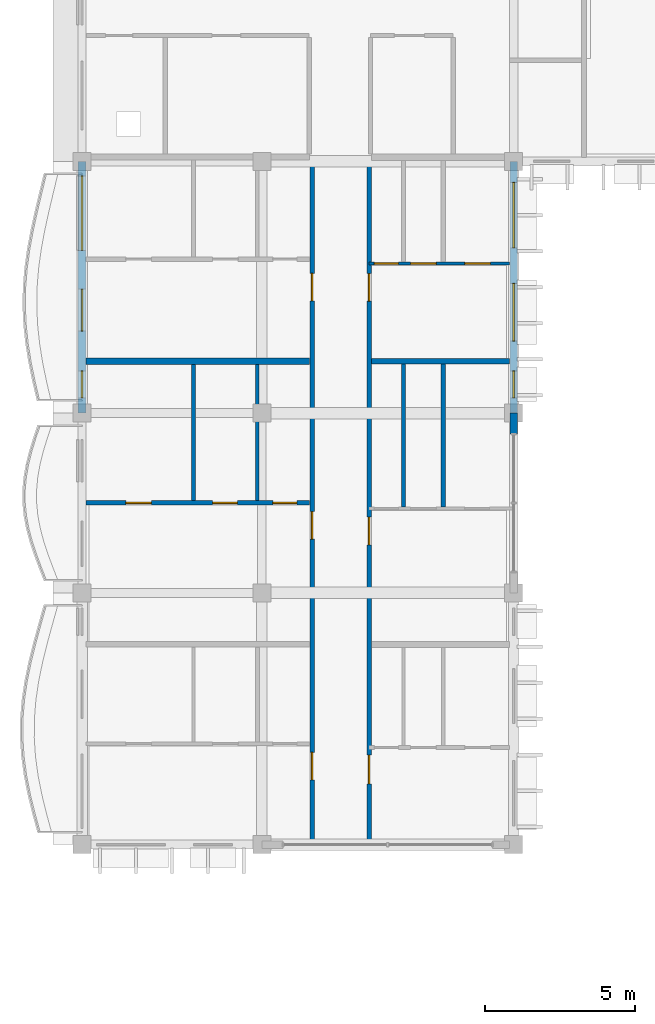
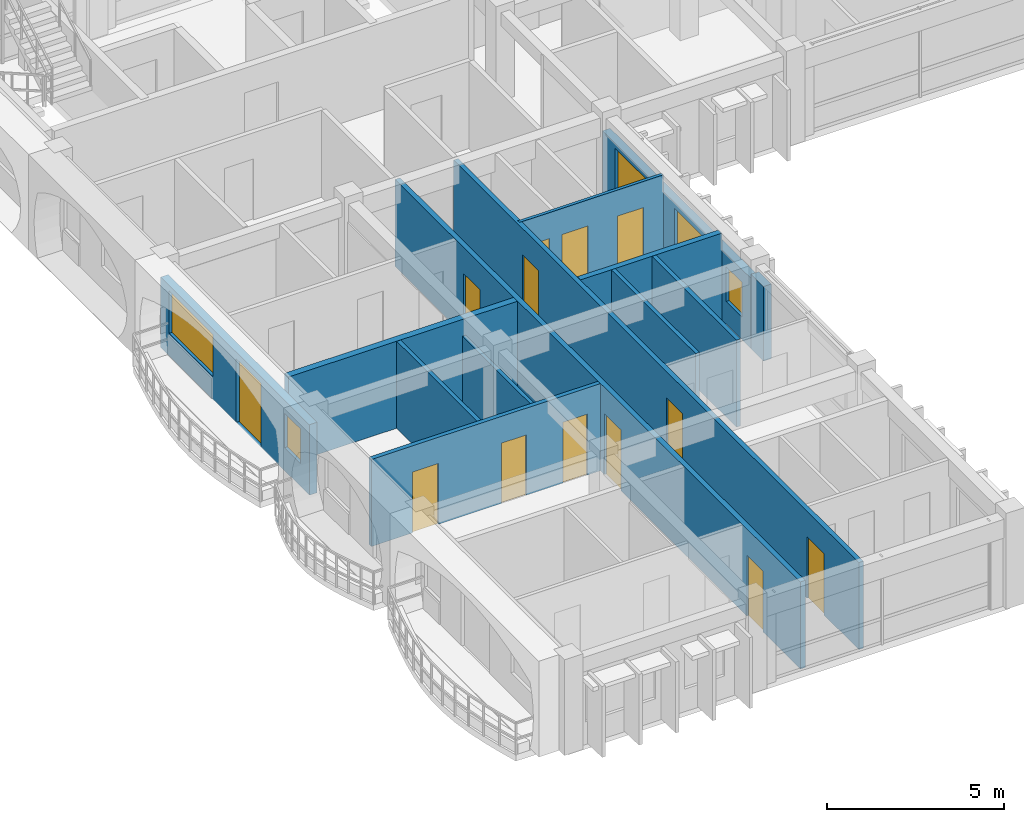
# One storey, part 11 of 31: 13 doors, 13 walls, 5 windows, 18 openings.
"""IFC4 building model written with IfcOpenShell, lengths in metres."""

from ifc_helpers import new_model, si_unit, direction, frame, frame_2d, origin, place, context, subcontext, project, spatial, rectangle, extrude, material, layer, layer_set, type_object, element, fill, save


model = new_model("IFC4")

# Units and contexts
model_context = context("Model", 3, precision=1e-05, world=origin(), true_north=direction((0.0, 1.0)))
body_context = subcontext(model_context, "Body", "Model", "MODEL_VIEW")
ifc_project = project(units=[si_unit("LENGTHUNIT", "METRE"), si_unit("AREAUNIT", "SQUARE_METRE"), si_unit("VOLUMEUNIT", "CUBIC_METRE"), si_unit("PLANEANGLEUNIT", "RADIAN"), si_unit("MASSUNIT", "GRAM", prefix="KILO"), si_unit("THERMODYNAMICTEMPERATUREUNIT", "KELVIN")], contexts=[model_context])

# Site, building, storey
site_placement = place(None, origin())
site = spatial("IfcSite", under=ifc_project, at=site_placement, CompositionType="ELEMENT")
building_placement = place(site_placement, origin())
building = spatial("IfcBuilding", under=site, at=building_placement, Name="Thalorik Housing Commons", CompositionType="ELEMENT")
storey_placement = place(building_placement, frame((0.0, 0.0, 37.800048828125)))
storey = spatial("IfcBuildingStorey", under=building, at=storey_placement, Name="L11", CompositionType="ELEMENT", Elevation=37.800048828125)

# Wall, openings, doors
ifc_material_1 = material(Name="Masonry fire-rated corridor wall", Category="masonry")
ifc_layer_1 = layer(ifc_material_1, 0.14990234375, Name="Masonry fire-rated corridor wall", Category="masonry")
ifc_layer_set_1 = layer_set([ifc_layer_1], Name="Masonry fire-rated corridor wall")
wall_type_1 = type_object("IfcWallType", Name="ARC-WAL-CORR-150", PredefinedType="PARTITIONING", material=ifc_layer_set_1)
wall_1_placement = place(storey_placement, frame((17.97998046875, 86.4599609375, 0.0), z_axis=(0.0, 0.0, 1.0), x_axis=(0.0, 1.0, 0.0)))
wall_1 = element("IfcWall", 1, at=wall_1_placement, inside=storey, type_object=wall_type_1, Name="L11 Block A W Corridor Wall 2", PredefinedType="PARTITIONING", context=body_context, shape_type="SweptSolid", body=[
    extrude(rectangle(XDim=22.880126953125, YDim=0.14990234375, at=frame_2d((11.43994140625, 0.0))), origin(), (0.0, 0.0, 1.0), 3.0),
])
opening_1_placement = place(wall_1_placement, frame((1.967529296875, 0.0, 0.0)))
opening_1 = element("IfcOpeningElement", 2, at=opening_1_placement, cuts=wall_1, Name="Opening ID-0890", PredefinedType="OPENING", context=body_context, shape_type="SweptSolid", body=[
    extrude(rectangle(XDim=0.9599609375, YDim=2.1201171875, at=frame_2d((0.47998046875, 1.06005859375))), frame((0.0, 0.0849609375, 0.0), z_axis=(0.0, -1.0, 0.0), x_axis=(1.0, 0.0, 0.0)), (0.0, 0.0, 1.0), 0.169921875),
])
opening_2_placement = place(wall_1_placement, frame((9.946044921875, 0.0, 0.0)))
opening_2 = element("IfcOpeningElement", 3, at=opening_2_placement, cuts=wall_1, Name="Opening ID-0891", PredefinedType="OPENING", context=body_context, shape_type="SweptSolid", body=[
    extrude(rectangle(XDim=0.919921875, YDim=2.10009765625, at=frame_2d((0.4599609375, 1.050048828125))), frame((0.0, 0.0849609375, 0.0), z_axis=(0.0, -1.0, 0.0), x_axis=(1.0, 0.0, 0.0)), (0.0, 0.0, 1.0), 0.169921875),
])
opening_3_placement = place(wall_1_placement, frame((18.072265625, 0.0, 0.0)))
opening_3 = element("IfcOpeningElement", 4, at=opening_3_placement, cuts=wall_1, Name="Opening ID-0892", PredefinedType="OPENING", context=body_context, shape_type="SweptSolid", body=[
    extrude(rectangle(XDim=0.919921875, YDim=2.10009765625, at=frame_2d((0.4599609375, 1.050048828125))), frame((0.0, 0.0849609375, 0.0), z_axis=(0.0, -1.0, 0.0), x_axis=(1.0, 0.0, 0.0)), (0.0, 0.0, 1.0), 0.169921875),
])
ifc_material_2 = material(Name="Solid core hardwood timber", Category="wood")
door_type_1 = type_object("IfcDoorType", Name="ARC-DR-FD30-920", OperationType="NOTDEFINED", PredefinedType="DOOR", material=ifc_material_2)
door_1_placement = place(opening_2_placement, origin())
door_1 = element("IfcDoor", 5, at=door_1_placement, inside=storey, type_object=door_type_1, Name="L11 Flat AW-2B Entrance Door", OperationType="SINGLE_SWING_RIGHT", OverallHeight=2.10009765625, OverallWidth=0.919921875, PredefinedType="DOOR", context=body_context, shape_type="SweptSolid", body=[
    extrude(rectangle(XDim=0.919921875, YDim=2.10009765625, at=frame_2d((0.4599609375, 1.050048828125))), frame((0.0, 0.02490234375, 0.0), z_axis=(0.0, -1.0, 0.0), x_axis=(1.0, 0.0, 0.0)), (0.0, 0.0, 1.0), 0.050048828125),
])
fill(opening_2, door_1)
door_2_placement = place(opening_3_placement, origin())
door_2 = element("IfcDoor", 6, at=door_2_placement, inside=storey, type_object=door_type_1, Name="L11 Flat AW-3B Entrance Door", OperationType="SINGLE_SWING_LEFT", OverallHeight=2.10009765625, OverallWidth=0.919921875, PredefinedType="DOOR", context=body_context, shape_type="SweptSolid", body=[
    extrude(rectangle(XDim=0.919921875, YDim=2.10009765625, at=frame_2d((0.4599609375, 1.050048828125))), frame((0.0, 0.02490234375, 0.0), z_axis=(0.0, -1.0, 0.0), x_axis=(1.0, 0.0, 0.0)), (0.0, 0.0, 1.0), 0.050048828125),
])
fill(opening_3, door_2)
door_type_2 = type_object("IfcDoorType", Name="ARC-DR-FD30-960", OperationType="NOTDEFINED", PredefinedType="DOOR", material=ifc_material_2)
door_3_placement = place(opening_1_placement, origin())
door_3 = element("IfcDoor", 7, at=door_3_placement, inside=storey, type_object=door_type_2, Name="L11 Flat AW-1B Entrance Door", OperationType="SINGLE_SWING_LEFT", OverallHeight=2.1201171875, OverallWidth=0.9599609375, PredefinedType="DOOR", context=body_context, shape_type="SweptSolid", body=[
    extrude(rectangle(XDim=0.9599609375, YDim=2.1201171875, at=frame_2d((0.47998046875, 1.06005859375))), frame((0.0, 0.02490234375, 0.0), z_axis=(0.0, -1.0, 0.0), x_axis=(1.0, 0.0, 0.0)), (0.0, 0.0, 1.0), 0.050048828125),
])
fill(opening_1, door_3)

ifc_layer_2 = layer(ifc_material_1, 0.1650390625, Name="Masonry fire-rated corridor wall", Category="masonry")
ifc_layer_set_2 = layer_set([ifc_layer_2], Name="Masonry fire-rated corridor wall")
wall_type_2 = type_object("IfcWallType", Name="ARC-WAL-CORR-165", PredefinedType="PARTITIONING", material=ifc_layer_set_2)
wall_2_placement = place(storey_placement, frame((16.080078125, 86.4599609375, 0.0), z_axis=(0.0, 0.0, 1.0), x_axis=(0.0, 1.0, 0.0)))
wall_2 = element("IfcWall", 8, at=wall_2_placement, inside=storey, type_object=wall_type_2, Name="L11 Block A W Corridor Wall 1", PredefinedType="PARTITIONING", context=body_context, shape_type="SweptSolid", body=[
    extrude(rectangle(XDim=22.880126953125, YDim=0.1650390625, at=frame_2d((11.43994140625, 0.0))), origin(), (0.0, 0.0, 1.0), 3.0),
])
opening_4_placement = place(wall_2_placement, frame((2.10009765625, 0.0, 0.0)))
opening_4 = element("IfcOpeningElement", 9, at=opening_4_placement, cuts=wall_2, Name="Opening ID-0887", PredefinedType="OPENING", context=body_context, shape_type="SweptSolid", body=[
    extrude(rectangle(XDim=0.919921875, YDim=2.10009765625, at=frame_2d((0.4599609375, 1.050048828125))), frame((0.0, 0.092529296875, 0.0), z_axis=(0.0, -1.0, 0.0), x_axis=(1.0, 0.0, 0.0)), (0.0, 0.0, 1.0), 0.18505859375),
])
opening_5_placement = place(wall_2_placement, frame((10.135009765625, 0.0, 0.0)))
opening_5 = element("IfcOpeningElement", 10, at=opening_5_placement, cuts=wall_2, Name="Opening ID-0888", PredefinedType="OPENING", context=body_context, shape_type="SweptSolid", body=[
    extrude(rectangle(XDim=0.919921875, YDim=2.10009765625, at=frame_2d((0.4599609375, 1.050048828125))), frame((0.0, 0.092529296875, 0.0), z_axis=(0.0, -1.0, 0.0), x_axis=(1.0, 0.0, 0.0)), (0.0, 0.0, 1.0), 0.18505859375),
])
opening_6_placement = place(wall_2_placement, frame((18.082763671875, 0.0, 0.0)))
opening_6 = element("IfcOpeningElement", 11, at=opening_6_placement, cuts=wall_2, Name="Opening ID-0889", PredefinedType="OPENING", context=body_context, shape_type="SweptSolid", body=[
    extrude(rectangle(XDim=0.919921875, YDim=2.10009765625, at=frame_2d((0.4599609375, 1.050048828125))), frame((0.0, 0.092529296875, 0.0), z_axis=(0.0, -1.0, 0.0), x_axis=(1.0, 0.0, 0.0)), (0.0, 0.0, 1.0), 0.18505859375),
])
door_4_placement = place(opening_4_placement, origin())
door_4 = element("IfcDoor", 12, at=door_4_placement, inside=storey, type_object=door_type_1, Name="L11 Flat AW-1A Entrance Door", OperationType="SINGLE_SWING_RIGHT", OverallHeight=2.10009765625, OverallWidth=0.919921875, PredefinedType="DOOR", context=body_context, shape_type="SweptSolid", body=[
    extrude(rectangle(XDim=0.919921875, YDim=2.10009765625, at=frame_2d((0.4599609375, 1.050048828125))), frame((0.0, 0.02490234375, 0.0), z_axis=(0.0, -1.0, 0.0), x_axis=(1.0, 0.0, 0.0)), (0.0, 0.0, 1.0), 0.050048828125),
])
fill(opening_4, door_4)
door_5_placement = place(opening_5_placement, origin())
door_5 = element("IfcDoor", 13, at=door_5_placement, inside=storey, type_object=door_type_1, Name="L11 Flat AW-2A Entrance Door", OperationType="SINGLE_SWING_LEFT", OverallHeight=2.10009765625, OverallWidth=0.919921875, PredefinedType="DOOR", context=body_context, shape_type="SweptSolid", body=[
    extrude(rectangle(XDim=0.919921875, YDim=2.10009765625, at=frame_2d((0.4599609375, 1.050048828125))), frame((0.0, 0.02490234375, 0.0), z_axis=(0.0, -1.0, 0.0), x_axis=(1.0, 0.0, 0.0)), (0.0, 0.0, 1.0), 0.050048828125),
])
fill(opening_5, door_5)
door_6_placement = place(opening_6_placement, origin())
door_6 = element("IfcDoor", 14, at=door_6_placement, inside=storey, type_object=door_type_1, Name="L11 Flat AW-3A Entrance Door", OperationType="SINGLE_SWING_RIGHT", OverallHeight=2.10009765625, OverallWidth=0.919921875, PredefinedType="DOOR", context=body_context, shape_type="SweptSolid", body=[
    extrude(rectangle(XDim=0.919921875, YDim=2.10009765625, at=frame_2d((0.4599609375, 1.050048828125))), frame((0.0, 0.02490234375, 0.0), z_axis=(0.0, -1.0, 0.0), x_axis=(1.0, 0.0, 0.0)), (0.0, 0.0, 1.0), 0.050048828125),
])
fill(opening_6, door_6)

# Wall, openings, door, windows
ifc_material_3 = material(Name="White precast concrete C40/50", Category="concrete")
ifc_layer_3 = layer(ifc_material_3, 0.2548828125, Name="White precast concrete C40/50", Category="concrete")
ifc_layer_set_3 = layer_set([ifc_layer_3], Name="White precast concrete C40/50")
wall_type_3 = type_object("IfcWallType", Name="ARC-WAL-EXT-255", PredefinedType="STANDARD", material=ifc_layer_set_3)
wall_3_placement = place(storey_placement, frame((8.39990234375, 109.199951171875, 0.0), z_axis=(0.0, 0.0, 1.0), x_axis=(0.0, -1.0, 0.0)))
wall_3 = element("IfcWall", 15, at=wall_3_placement, inside=storey, type_object=wall_type_3, Name="L11 Exterior Wall WAL-EXT-L11-A-0289", PredefinedType="STANDARD", context=body_context, shape_type="SweptSolid", body=[
    extrude(rectangle(XDim=8.39990234375, YDim=0.2548828125, at=frame_2d((4.199951171875, 0.0))), origin(), (0.0, 0.0, 1.0), 2.425048828125),
])
opening_7_placement = place(wall_3_placement, frame((4.267578125, 0.0, 0.0)))
opening_7 = element("IfcOpeningElement", 16, at=opening_7_placement, cuts=wall_3, Name="Opening ED-0093", PredefinedType="OPENING", context=body_context, shape_type="SweptSolid", body=[
    extrude(rectangle(XDim=1.39990234375, YDim=2.199951171875, at=frame_2d((0.699951171875, 1.10009765625))), frame((0.0, 0.137451171875, 0.0), z_axis=(0.0, -1.0, 0.0), x_axis=(1.0, 0.0, 0.0)), (0.0, 0.0, 1.0), 0.27490234375),
])
opening_8_placement = place(wall_3_placement, frame((0.487548828125, 0.0, 0.780029296875)))
opening_8 = element("IfcOpeningElement", 17, at=opening_8_placement, cuts=wall_3, Name="Opening W-71", PredefinedType="OPENING", context=body_context, shape_type="SweptSolid", body=[
    extrude(rectangle(XDim=2.47998046875, YDim=1.4599609375, at=frame_2d((1.239990234375, 0.72998046875))), frame((0.0, 0.137451171875, 0.0), z_axis=(0.0, -1.0, 0.0), x_axis=(1.0, 0.0, 0.0)), (0.0, 0.0, 1.0), 0.27490234375),
])
opening_9_placement = place(wall_3_placement, frame((6.989990234375, 0.0, 0.780029296875)))
opening_9 = element("IfcOpeningElement", 18, at=opening_9_placement, cuts=wall_3, Name="Opening W-01", PredefinedType="OPENING", context=body_context, shape_type="SweptSolid", body=[
    extrude(rectangle(XDim=0.89990234375, YDim=1.199951171875, at=frame_2d((0.449951171875, 0.60009765625))), frame((0.0, 0.137451171875, 0.0), z_axis=(0.0, -1.0, 0.0), x_axis=(1.0, 0.0, 0.0)), (0.0, 0.0, 1.0), 0.27490234375),
])
ifc_material_4 = material(Name="Anodised aluminium and laminated safety glass", Category="aluminium")
door_type_3 = type_object("IfcDoorType", Name="ARC-DR-BAL-1400", OperationType="NOTDEFINED", PredefinedType="DOOR", material=ifc_material_4)
door_7_placement = place(opening_7_placement, frame((1.39990234375, 0.0, 0.0), z_axis=(0.0, 0.0, 1.0), x_axis=(-1.0, 0.0, 0.0)))
door_7 = element("IfcDoor", 19, at=door_7_placement, inside=storey, type_object=door_type_3, Name="L11 Block A Balcony Glazed Door", OperationType="SLIDING_TO_LEFT", OverallHeight=2.199951171875, OverallWidth=1.39990234375, PredefinedType="DOOR", context=body_context, shape_type="SweptSolid", body=[
    extrude(rectangle(XDim=1.39990234375, YDim=2.199951171875, at=frame_2d((0.699951171875, 1.10009765625))), frame((0.0, 0.02490234375, 0.0), z_axis=(0.0, -1.0, 0.0), x_axis=(1.0, 0.0, 0.0)), (0.0, 0.0, 1.0), 0.050048828125),
])
fill(opening_7, door_7)
ifc_material_5 = material(Name="Anodised aluminium and solar-control low-E glass", Category="aluminium")
window_type_1 = type_object("IfcWindowType", Name="ARC-WIN-01", PartitioningType="SINGLE_PANEL", PredefinedType="WINDOW", material=ifc_material_5)
window_1_placement = place(opening_9_placement, origin())
window_1 = element("IfcWindow", 20, at=window_1_placement, inside=storey, type_object=window_type_1, Name="L11 Facade Window 520", OverallHeight=1.199951171875, OverallWidth=0.89990234375, PartitioningType="SINGLE_PANEL", PredefinedType="WINDOW", context=body_context, shape_type="SweptSolid", body=[
    extrude(rectangle(XDim=0.89990234375, YDim=1.199951171875, at=frame_2d((0.449951171875, 0.60009765625))), frame((0.0, 0.030029296875, 0.0), z_axis=(0.0, -1.0, 0.0), x_axis=(1.0, 0.0, 0.0)), (0.0, 0.0, 1.0), 0.06005859375),
])
fill(opening_9, window_1)
window_type_2 = type_object("IfcWindowType", Name="ARC-WIN-71", PartitioningType="DOUBLE_PANEL_VERTICAL", PredefinedType="WINDOW", material=ifc_material_5)
window_2_placement = place(opening_8_placement, origin())
window_2 = element("IfcWindow", 21, at=window_2_placement, inside=storey, type_object=window_type_2, Name="L11 Facade Window 519", OverallHeight=1.4599609375, OverallWidth=2.47998046875, PartitioningType="DOUBLE_PANEL_VERTICAL", PredefinedType="WINDOW", context=body_context, shape_type="SweptSolid", body=[
    extrude(rectangle(XDim=2.47998046875, YDim=1.4599609375, at=frame_2d((1.239990234375, 0.72998046875))), frame((0.0, 0.030029296875, 0.0), z_axis=(0.0, -1.0, 0.0), x_axis=(1.0, 0.0, 0.0)), (0.0, 0.0, 1.0), 0.06005859375),
])
fill(opening_8, window_2)

# Wall
wall_4_placement = place(storey_placement, frame((22.800048828125, 100.10009765625, 0.0), z_axis=(0.0, 0.0, 1.0), x_axis=(0.0, 1.0, 0.0)))
element("IfcWall", 22, at=wall_4_placement, inside=storey, type_object=wall_type_3, Name="L11 Exterior Wall WAL-PIERR-L11-A-0295", PredefinedType="STANDARD", context=body_context, shape_type="SweptSolid", body=[
    extrude(rectangle(XDim=0.699951171875, YDim=0.2548828125, at=frame_2d((0.35009765625, 0.0))), origin(), (0.0, 0.0, 1.0), 2.574951171875),
])

# Wall, openings, windows
wall_5_placement = place(storey_placement, frame((22.800048828125, 100.800048828125, 0.0), z_axis=(0.0, 0.0, 1.0), x_axis=(0.0, 1.0, 0.0)))
wall_5 = element("IfcWall", 23, at=wall_5_placement, inside=storey, type_object=wall_type_3, Name="L11 Exterior Wall WAL-EXT-L11-A-0296", PredefinedType="STANDARD", context=body_context, shape_type="SweptSolid", body=[
    extrude(rectangle(XDim=8.39990234375, YDim=0.2548828125, at=frame_2d((4.199951171875, 0.0))), origin(), (0.0, 0.0, 1.0), 2.425048828125),
])
opening_10_placement = place(wall_5_placement, frame((0.510009765625, 0.0, 0.780029296875)))
opening_10 = element("IfcOpeningElement", 24, at=opening_10_placement, cuts=wall_5, Name="Opening W-01", PredefinedType="OPENING", context=body_context, shape_type="SweptSolid", body=[
    extrude(rectangle(XDim=0.89990234375, YDim=1.199951171875, at=frame_2d((0.449951171875, 0.60009765625))), frame((0.0, 0.137451171875, 0.0), z_axis=(0.0, -1.0, 0.0), x_axis=(1.0, 0.0, 0.0)), (0.0, 0.0, 1.0), 0.27490234375),
])
opening_11_placement = place(wall_5_placement, frame((2.404296875, 0.0, 0.780029296875)))
opening_11 = element("IfcOpeningElement", 25, at=opening_11_placement, cuts=wall_5, Name="Opening W-60", PredefinedType="OPENING", context=body_context, shape_type="SweptSolid", body=[
    extrude(rectangle(XDim=1.919921875, YDim=1.43994140625, at=frame_2d((0.9599609375, 0.719970703125))), frame((0.0, 0.137451171875, 0.0), z_axis=(0.0, -1.0, 0.0), x_axis=(1.0, 0.0, 0.0)), (0.0, 0.0, 1.0), 0.27490234375),
])
opening_12_placement = place(wall_5_placement, frame((5.514404296875, 0.0, 0.780029296875)))
opening_12 = element("IfcOpeningElement", 26, at=opening_12_placement, cuts=wall_5, Name="Opening W-65", PredefinedType="OPENING", context=body_context, shape_type="SweptSolid", body=[
    extrude(rectangle(XDim=2.179931640625, YDim=1.47998046875, at=frame_2d((1.08984375, 0.739990234375))), frame((0.0, 0.137451171875, 0.0), z_axis=(0.0, -1.0, 0.0), x_axis=(1.0, 0.0, 0.0)), (0.0, 0.0, 1.0), 0.27490234375),
])
window_3_placement = place(opening_10_placement, origin())
window_3 = element("IfcWindow", 27, at=window_3_placement, inside=storey, type_object=window_type_1, Name="L11 Facade Window 529", OverallHeight=1.199951171875, OverallWidth=0.89990234375, PartitioningType="SINGLE_PANEL", PredefinedType="WINDOW", context=body_context, shape_type="SweptSolid", body=[
    extrude(rectangle(XDim=0.89990234375, YDim=1.199951171875, at=frame_2d((0.449951171875, 0.60009765625))), frame((0.0, 0.030029296875, 0.0), z_axis=(0.0, -1.0, 0.0), x_axis=(1.0, 0.0, 0.0)), (0.0, 0.0, 1.0), 0.06005859375),
])
fill(opening_10, window_3)
window_type_3 = type_object("IfcWindowType", Name="ARC-WIN-60", PartitioningType="DOUBLE_PANEL_VERTICAL", PredefinedType="WINDOW", material=ifc_material_5)
window_4_placement = place(opening_11_placement, origin())
window_4 = element("IfcWindow", 28, at=window_4_placement, inside=storey, type_object=window_type_3, Name="L11 Facade Window 530", OverallHeight=1.43994140625, OverallWidth=1.919921875, PartitioningType="DOUBLE_PANEL_VERTICAL", PredefinedType="WINDOW", context=body_context, shape_type="SweptSolid", body=[
    extrude(rectangle(XDim=1.919921875, YDim=1.43994140625, at=frame_2d((0.9599609375, 0.719970703125))), frame((0.0, 0.030029296875, 0.0), z_axis=(0.0, -1.0, 0.0), x_axis=(1.0, 0.0, 0.0)), (0.0, 0.0, 1.0), 0.06005859375),
])
fill(opening_11, window_4)
window_type_4 = type_object("IfcWindowType", Name="ARC-WIN-65", PartitioningType="DOUBLE_PANEL_VERTICAL", PredefinedType="WINDOW", material=ifc_material_5)
window_5_placement = place(opening_12_placement, origin())
window_5 = element("IfcWindow", 29, at=window_5_placement, inside=storey, type_object=window_type_4, Name="L11 Facade Window 531", OverallHeight=1.47998046875, OverallWidth=2.179931640625, PartitioningType="DOUBLE_PANEL_VERTICAL", PredefinedType="WINDOW", context=body_context, shape_type="SweptSolid", body=[
    extrude(rectangle(XDim=2.179931640625, YDim=1.47998046875, at=frame_2d((1.08984375, 0.739990234375))), frame((0.0, 0.030029296875, 0.0), z_axis=(0.0, -1.0, 0.0), x_axis=(1.0, 0.0, 0.0)), (0.0, 0.0, 1.0), 0.06005859375),
])
fill(opening_12, window_5)

# Wall, openings, doors
ifc_material_6 = material(Name="Gypsum light stud partition", Category="masonry")
ifc_layer_4 = layer(ifc_material_6, 0.10009765625, Name="Gypsum light stud partition", Category="masonry")
ifc_layer_set_4 = layer_set([ifc_layer_4], Name="Gypsum light stud partition")
wall_type_4 = type_object("IfcWallType", Name="ARC-WAL-PART-100", PredefinedType="PARTITIONING", material=ifc_layer_set_4)
wall_6_placement = place(storey_placement, frame((17.97998046875, 105.798828125, 0.0), z_axis=(0.0, 0.0, 1.0), x_axis=(1.0, 0.0, 0.0)))
wall_6 = element("IfcWall", 30, at=wall_6_placement, inside=storey, type_object=wall_type_4, Name="L11 Unit 3B Spine Partition", PredefinedType="PARTITIONING", context=body_context, shape_type="SweptSolid", body=[
    extrude(rectangle(XDim=4.6904296875, YDim=0.10009765625, at=frame_2d((2.34521484375, 0.0))), origin(), (0.0, 0.0, 1.0), 3.0),
])
opening_13_placement = place(wall_6_placement, frame((0.171142578125, 0.0, 0.0)))
opening_13 = element("IfcOpeningElement", 31, at=opening_13_placement, cuts=wall_6, Name="Opening ID-0884", PredefinedType="OPENING", context=body_context, shape_type="SweptSolid", body=[
    extrude(rectangle(XDim=0.800048828125, YDim=2.10009765625, at=frame_2d((0.39990234375, 1.050048828125))), frame((0.0, 0.06005859375, 0.0), z_axis=(0.0, -1.0, 0.0), x_axis=(1.0, 0.0, 0.0)), (0.0, 0.0, 1.0), 0.1201171875),
])
opening_14_placement = place(wall_6_placement, frame((1.3837890625, 0.0, 0.0)))
opening_14 = element("IfcOpeningElement", 32, at=opening_14_placement, cuts=wall_6, Name="Opening ID-0885", PredefinedType="OPENING", context=body_context, shape_type="SweptSolid", body=[
    extrude(rectangle(XDim=0.85009765625, YDim=2.10009765625, at=frame_2d((0.425048828125, 1.050048828125))), frame((0.0, 0.06005859375, 0.0), z_axis=(0.0, -1.0, 0.0), x_axis=(1.0, 0.0, 0.0)), (0.0, 0.0, 1.0), 0.1201171875),
])
opening_15_placement = place(wall_6_placement, frame((3.192626953125, 0.0, 0.0)))
opening_15 = element("IfcOpeningElement", 33, at=opening_15_placement, cuts=wall_6, Name="Opening ID-0886", PredefinedType="OPENING", context=body_context, shape_type="SweptSolid", body=[
    extrude(rectangle(XDim=0.85009765625, YDim=2.10009765625, at=frame_2d((0.425048828125, 1.050048828125))), frame((0.0, 0.06005859375, 0.0), z_axis=(0.0, -1.0, 0.0), x_axis=(1.0, 0.0, 0.0)), (0.0, 0.0, 1.0), 0.1201171875),
])
ifc_material_7 = material(Name="Moisture-resistant timber", Category="wood")
door_type_4 = type_object("IfcDoorType", Name="ARC-DR-INT-800", OperationType="NOTDEFINED", PredefinedType="DOOR", material=ifc_material_7)
door_8_placement = place(opening_13_placement, origin())
door_8 = element("IfcDoor", 34, at=door_8_placement, inside=storey, type_object=door_type_4, Name="L11 Flat Bathroom Door", OperationType="SINGLE_SWING_LEFT", OverallHeight=2.10009765625, OverallWidth=0.800048828125, PredefinedType="DOOR", context=body_context, shape_type="SweptSolid", body=[
    extrude(rectangle(XDim=0.800048828125, YDim=2.10009765625, at=frame_2d((0.39990234375, 1.050048828125))), frame((0.0, 0.02490234375, 0.0), z_axis=(0.0, -1.0, 0.0), x_axis=(1.0, 0.0, 0.0)), (0.0, 0.0, 1.0), 0.050048828125),
])
fill(opening_13, door_8)
ifc_material_8 = material(Name="Engineered oak timber", Category="wood")
door_type_5 = type_object("IfcDoorType", Name="ARC-DR-INT-850", OperationType="NOTDEFINED", PredefinedType="DOOR", material=ifc_material_8)
door_9_placement = place(opening_14_placement, origin())
door_9 = element("IfcDoor", 35, at=door_9_placement, inside=storey, type_object=door_type_5, Name="L11 Galley Kitchen Door", OperationType="SINGLE_SWING_RIGHT", OverallHeight=2.10009765625, OverallWidth=0.85009765625, PredefinedType="DOOR", context=body_context, shape_type="SweptSolid", body=[
    extrude(rectangle(XDim=0.85009765625, YDim=2.10009765625, at=frame_2d((0.425048828125, 1.050048828125))), frame((0.0, 0.02490234375, 0.0), z_axis=(0.0, -1.0, 0.0), x_axis=(1.0, 0.0, 0.0)), (0.0, 0.0, 1.0), 0.050048828125),
])
fill(opening_14, door_9)
door_10_placement = place(opening_15_placement, origin())
door_10 = element("IfcDoor", 36, at=door_10_placement, inside=storey, type_object=door_type_5, Name="L11 Single Bedroom Door", OperationType="SINGLE_SWING_LEFT", OverallHeight=2.10009765625, OverallWidth=0.85009765625, PredefinedType="DOOR", context=body_context, shape_type="SweptSolid", body=[
    extrude(rectangle(XDim=0.85009765625, YDim=2.10009765625, at=frame_2d((0.425048828125, 1.050048828125))), frame((0.0, 0.02490234375, 0.0), z_axis=(0.0, -1.0, 0.0), x_axis=(1.0, 0.0, 0.0)), (0.0, 0.0, 1.0), 0.050048828125),
])
fill(opening_15, door_10)

# Walls
ifc_material_9 = material(Name="Gypsum moisture-resistant partition", Category="masonry")
ifc_layer_5 = layer(ifc_material_9, 0.114990234375, Name="Gypsum moisture-resistant partition", Category="masonry")
ifc_layer_set_5 = layer_set([ifc_layer_5], Name="Gypsum moisture-resistant partition")
wall_type_5 = type_object("IfcWallType", Name="ARC-WAL-PART-115", PredefinedType="PARTITIONING", material=ifc_layer_set_5)
wall_7_placement = place(storey_placement, frame((14.251220703125, 97.876953125, 0.0), z_axis=(0.0, 0.0, 1.0), x_axis=(0.0, 1.0, 0.0)))
element("IfcWall", 37, at=wall_7_placement, inside=storey, type_object=wall_type_5, Name="L11 Unit 2 Wet Wall", PredefinedType="PARTITIONING", context=body_context, shape_type="SweptSolid", body=[
    extrude(rectangle(XDim=4.541015625, YDim=0.114990234375, at=frame_2d((2.2705078125, 0.0))), origin(), (0.0, 0.0, 1.0), 2.425048828125),
])
ifc_material_10 = material(Name="Gypsum acoustic stud partition", Category="masonry")
ifc_layer_6 = layer(ifc_material_10, 0.125, Name="Gypsum acoustic stud partition", Category="masonry")
ifc_layer_set_6 = layer_set([ifc_layer_6], Name="Gypsum acoustic stud partition")
wall_type_6 = type_object("IfcWallType", Name="ARC-WAL-PART-125", PredefinedType="PARTITIONING", material=ifc_layer_set_6)
wall_8_placement = place(storey_placement, frame((12.11767578125, 97.876953125, 0.0), z_axis=(0.0, 0.0, 1.0), x_axis=(0.0, 1.0, 0.0)))
element("IfcWall", 38, at=wall_8_placement, inside=storey, type_object=wall_type_6, Name="L11 Unit 2 Bedroom Partition", PredefinedType="PARTITIONING", context=body_context, shape_type="SweptSolid", body=[
    extrude(rectangle(XDim=4.541015625, YDim=0.125, at=frame_2d((2.2705078125, 0.0))), origin(), (0.0, 0.0, 1.0), 3.0),
])
wall_9_placement = place(storey_placement, frame((19.122314453125, 97.66796875, 0.0), z_axis=(0.0, 0.0, 1.0), x_axis=(0.0, 1.0, 0.0)))
element("IfcWall", 39, at=wall_9_placement, inside=storey, type_object=wall_type_6, Name="L11 Unit 2B Wet Wall", PredefinedType="PARTITIONING", context=body_context, shape_type="SweptSolid", body=[
    extrude(rectangle(XDim=4.767578125, YDim=0.125, at=frame_2d((2.3837890625, 0.0))), origin(), (0.0, 0.0, 1.0), 3.0),
])

# Wall, openings, doors
ifc_material_11 = material(Name="Ceramic masonry partition wall", Category="masonry")
ifc_layer_7 = layer(ifc_material_11, 0.139892578125, Name="Ceramic masonry partition wall", Category="masonry")
ifc_layer_set_7 = layer_set([ifc_layer_7], Name="Ceramic masonry partition wall")
wall_type_7 = type_object("IfcWallType", Name="ARC-WAL-PART-140", PredefinedType="PARTITIONING", material=ifc_layer_set_7)
wall_10_placement = place(storey_placement, frame((8.529541015625, 97.804931640625, 0.0), z_axis=(0.0, 0.0, 1.0), x_axis=(1.0, 0.0, 0.0)))
wall_10 = element("IfcWall", 40, at=wall_10_placement, inside=storey, type_object=wall_type_7, Name="L11 Unit 2 Spine Partition", PredefinedType="PARTITIONING", context=body_context, shape_type="SweptSolid", body=[
    extrude(rectangle(XDim=7.466064453125, YDim=0.139892578125, at=frame_2d((3.73291015625, 0.0))), origin(), (0.0, 0.0, 1.0), 3.0),
])
opening_16_placement = place(wall_10_placement, frame((1.334228515625, 0.0, 0.0)))
opening_16 = element("IfcOpeningElement", 41, at=opening_16_placement, cuts=wall_10, Name="Opening ID-0875", PredefinedType="OPENING", context=body_context, shape_type="SweptSolid", body=[
    extrude(rectangle(XDim=0.85009765625, YDim=2.10009765625, at=frame_2d((0.425048828125, 1.050048828125))), frame((0.0, 0.080078125, 0.0), z_axis=(0.0, -1.0, 0.0), x_axis=(1.0, 0.0, 0.0)), (0.0, 0.0, 1.0), 0.159912109375),
])
opening_17_placement = place(wall_10_placement, frame((4.22998046875, 0.0, 0.0)))
opening_17 = element("IfcOpeningElement", 42, at=opening_17_placement, cuts=wall_10, Name="Opening ID-0876", PredefinedType="OPENING", context=body_context, shape_type="SweptSolid", body=[
    extrude(rectangle(XDim=0.820068359375, YDim=2.080078125, at=frame_2d((0.41015625, 1.0400390625))), frame((0.0, 0.080078125, 0.0), z_axis=(0.0, -1.0, 0.0), x_axis=(1.0, 0.0, 0.0)), (0.0, 0.0, 1.0), 0.159912109375),
])
opening_18_placement = place(wall_10_placement, frame((6.236083984375, 0.0, 0.0)))
opening_18 = element("IfcOpeningElement", 43, at=opening_18_placement, cuts=wall_10, Name="Opening ID-0877", PredefinedType="OPENING", context=body_context, shape_type="SweptSolid", body=[
    extrude(rectangle(XDim=0.800048828125, YDim=2.10009765625, at=frame_2d((0.39990234375, 1.050048828125))), frame((0.0, 0.080078125, 0.0), z_axis=(0.0, -1.0, 0.0), x_axis=(1.0, 0.0, 0.0)), (0.0, 0.0, 1.0), 0.159912109375),
])
door_11_placement = place(opening_18_placement, origin())
door_11 = element("IfcDoor", 44, at=door_11_placement, inside=storey, type_object=door_type_4, Name="L11 Accessible Bathroom Door", OperationType="SINGLE_SWING_RIGHT", OverallHeight=2.10009765625, OverallWidth=0.800048828125, PredefinedType="DOOR", context=body_context, shape_type="SweptSolid", body=[
    extrude(rectangle(XDim=0.800048828125, YDim=2.10009765625, at=frame_2d((0.39990234375, 1.050048828125))), frame((0.0, 0.02490234375, 0.0), z_axis=(0.0, -1.0, 0.0), x_axis=(1.0, 0.0, 0.0)), (0.0, 0.0, 1.0), 0.050048828125),
])
fill(opening_18, door_11)
door_type_6 = type_object("IfcDoorType", Name="ARC-DR-INT-820", OperationType="NOTDEFINED", PredefinedType="DOOR", material=ifc_material_8)
door_12_placement = place(opening_17_placement, origin())
door_12 = element("IfcDoor", 45, at=door_12_placement, inside=storey, type_object=door_type_6, Name="L11 Eat-In Kitchen Door", OperationType="SINGLE_SWING_LEFT", OverallHeight=2.080078125, OverallWidth=0.820068359375, PredefinedType="DOOR", context=body_context, shape_type="SweptSolid", body=[
    extrude(rectangle(XDim=0.820068359375, YDim=2.080078125, at=frame_2d((0.41015625, 1.0400390625))), frame((0.0, 0.02490234375, 0.0), z_axis=(0.0, -1.0, 0.0), x_axis=(1.0, 0.0, 0.0)), (0.0, 0.0, 1.0), 0.050048828125),
])
fill(opening_17, door_12)
door_13_placement = place(opening_16_placement, origin())
door_13 = element("IfcDoor", 46, at=door_13_placement, inside=storey, type_object=door_type_5, Name="L11 Children's Bedroom Door", OperationType="SINGLE_SWING_RIGHT", OverallHeight=2.10009765625, OverallWidth=0.85009765625, PredefinedType="DOOR", context=body_context, shape_type="SweptSolid", body=[
    extrude(rectangle(XDim=0.85009765625, YDim=2.10009765625, at=frame_2d((0.425048828125, 1.050048828125))), frame((0.0, 0.02490234375, 0.0), z_axis=(0.0, -1.0, 0.0), x_axis=(1.0, 0.0, 0.0)), (0.0, 0.0, 1.0), 0.050048828125),
])
fill(opening_16, door_13)

# Walls
wall_11_placement = place(storey_placement, frame((20.455078125, 97.66796875, 0.0), z_axis=(0.0, 0.0, 1.0), x_axis=(0.0, 1.0, 0.0)))
element("IfcWall", 47, at=wall_11_placement, inside=storey, type_object=wall_type_7, Name="L11 Unit 2B Bedroom Partition", PredefinedType="PARTITIONING", context=body_context, shape_type="SweptSolid", body=[
    extrude(rectangle(XDim=4.767578125, YDim=0.139892578125, at=frame_2d((2.3837890625, 0.0))), origin(), (0.0, 0.0, 1.0), 3.0),
])
ifc_material_12 = material(Name="Masonry acoustic blockwork wall", Category="masonry")
ifc_layer_8 = layer(ifc_material_12, 0.18505859375, Name="Masonry acoustic blockwork wall", Category="masonry")
ifc_layer_set_8 = layer_set([ifc_layer_8], Name="Masonry acoustic blockwork wall")
wall_type_8 = type_object("IfcWallType", Name="ARC-WAL-PARTY-185", PredefinedType="PARTITIONING", material=ifc_layer_set_8)
wall_12_placement = place(storey_placement, frame((18.056884765625, 102.530029296875, 0.0), z_axis=(0.0, 0.0, 1.0), x_axis=(1.0, 0.0, 0.0)))
element("IfcWall", 48, at=wall_12_placement, inside=storey, type_object=wall_type_8, Name="L11 Inter-Tenancy Wall 2B", PredefinedType="PARTITIONING", context=body_context, shape_type="SweptSolid", body=[
    extrude(rectangle(XDim=4.613525390625, YDim=0.18505859375, at=frame_2d((2.306640625, 0.0))), origin(), (0.0, 0.0, 1.0), 3.0),
])
ifc_material_13 = material(Name="Precast concrete C40/50 acoustic wall", Category="concrete")
ifc_layer_9 = layer(ifc_material_13, 0.219970703125, Name="Precast concrete C40/50 acoustic wall", Category="concrete")
ifc_layer_set_9 = layer_set([ifc_layer_9], Name="Precast concrete C40/50 acoustic wall")
wall_type_9 = type_object("IfcWallType", Name="ARC-WAL-PARTY-220", PredefinedType="PARTITIONING", material=ifc_layer_set_9)
wall_13_placement = place(storey_placement, frame((8.529541015625, 102.530029296875, 0.0), z_axis=(0.0, 0.0, 1.0), x_axis=(1.0, 0.0, 0.0)))
element("IfcWall", 49, at=wall_13_placement, inside=storey, type_object=wall_type_9, Name="L11 Inter-Tenancy Wall 2A", PredefinedType="PARTITIONING", context=body_context, shape_type="SweptSolid", body=[
    extrude(rectangle(XDim=7.466064453125, YDim=0.219970703125, at=frame_2d((3.73291015625, 0.0))), origin(), (0.0, 0.0, 1.0), 3.0),
])

save(model, "model.ifc")
